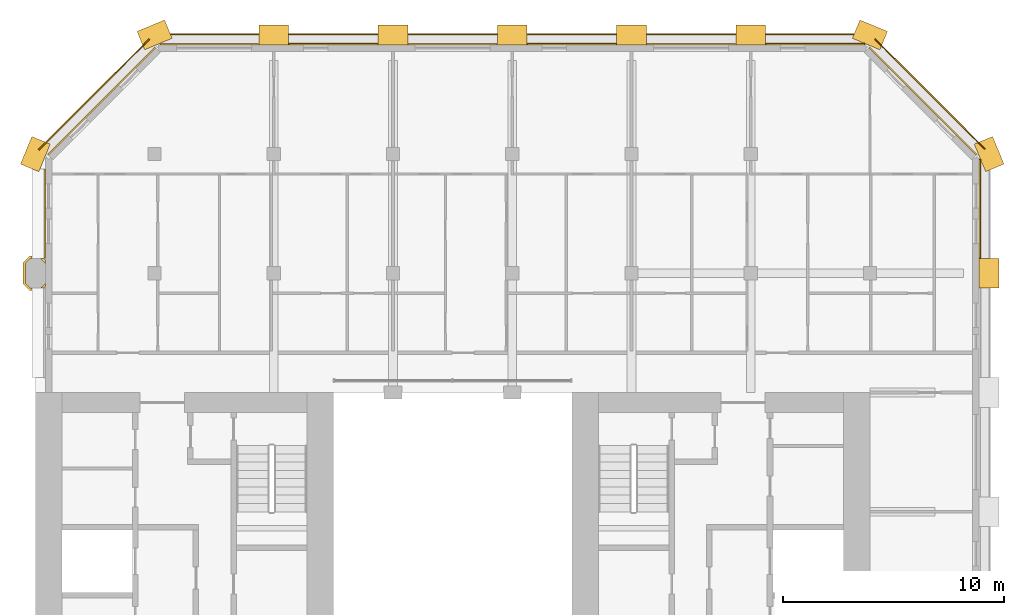
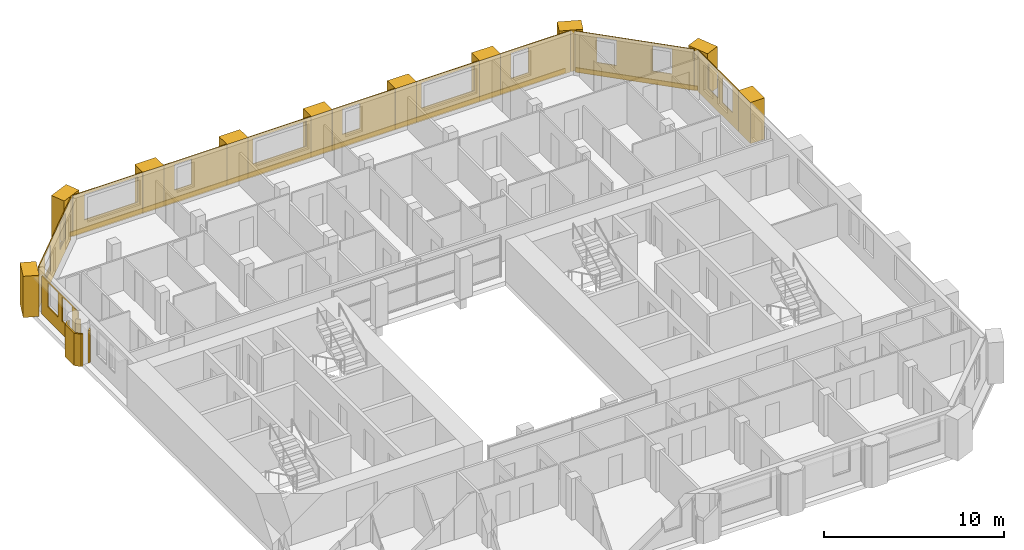
# One storey, part 13 of 13: 26 coverings.
"""IFC4 building model written with IfcOpenShell, lengths in metres."""

from ifc_helpers import new_model, si_unit, direction, frame, frame_2d, origin, place, context, subcontext, project, spatial, polyline, rectangle, outline, extrude, material, layer, layer_set, type_object, element, save


model = new_model("IFC4")

# Units and contexts
model_context = context("Model", 3, precision=1e-05, world=origin(), true_north=direction((0.0, 1.0)))
body_context = subcontext(model_context, "Body", "Model", "MODEL_VIEW")
ifc_project = project(units=[si_unit("LENGTHUNIT", "METRE"), si_unit("AREAUNIT", "SQUARE_METRE"), si_unit("VOLUMEUNIT", "CUBIC_METRE"), si_unit("PLANEANGLEUNIT", "RADIAN"), si_unit("MASSUNIT", "GRAM", prefix="KILO")], contexts=[model_context])

# Site, building, storey
site_placement = place(None, origin())
site = spatial("IfcSite", under=ifc_project, at=site_placement, CompositionType="ELEMENT")
building_placement = place(site_placement, origin())
building = spatial("IfcBuilding", under=site, at=building_placement, Name="Tabaq Tower and Sports Hall", CompositionType="ELEMENT")
storey_placement = place(building_placement, frame((0.0, 0.0, 304.89990234375)))
storey = spatial("IfcBuildingStorey", under=building, at=storey_placement, Name="L76", CompositionType="ELEMENT", Elevation=304.89990234375)

# Coverings
ifc_material_1 = material(Name="Precast concrete C60/75", Category="concrete")
ifc_layer_1 = layer(ifc_material_1, 0.10009765625)
ifc_layer_set_1 = layer_set([ifc_layer_1], Name="Column cladding 100")
covering_type_1 = type_object("IfcCoveringType", Name="Column cladding 100", PredefinedType="CLADDING", material=ifc_layer_set_1)
covering_1_placement = place(storey_placement, origin())
element("IfcCovering", 1, at=covering_1_placement, inside=storey, type_object=covering_type_1, Name="Column cladding L76 PC-2H-R2", PredefinedType="CLADDING", context=body_context, shape_type="SweptSolid", body=[
    extrude(outline(polyline([(5.1337890625, 37.025634765625), (4.8505859375, 37.308837890625), (4.8505859375, 38.291259765625), (5.1337890625, 38.574462890625), (5.24951171875, 38.574462890625), (5.24951171875, 38.4755859375), (5.1748046875, 38.4755859375), (4.949462890625, 38.250244140625), (4.949462890625, 37.349853515625), (5.1748046875, 37.12451171875), (5.24951171875, 37.12451171875), (5.24951171875, 37.025634765625), (5.1337890625, 37.025634765625)])), origin(), (0.0, 0.0, 1.0), 2.2001953125),
])
covering_2_placement = place(storey_placement, origin())
element("IfcCovering", 2, at=covering_2_placement, inside=storey, type_object=covering_type_1, Name="Column cladding L76 PC-2H-R2 2", PredefinedType="CLADDING", context=body_context, shape_type="SweptSolid", body=[
    extrude(outline(polyline([(5.766357421875, 37.125244140625), (5.625732421875, 37.125244140625), (5.849609375, 37.349365234375), (5.849609375, 37.208740234375), (5.766357421875, 37.125244140625)])), origin(), (0.0, 0.0, 1.0), 2.2001953125),
])
covering_3_placement = place(storey_placement, origin())
element("IfcCovering", 3, at=covering_3_placement, inside=storey, type_object=covering_type_1, Name="Column cladding L76 PC-2H-R2 3", PredefinedType="CLADDING", context=body_context, shape_type="SweptSolid", body=[
    extrude(outline(polyline([(5.62646484375, 38.474365234375), (5.76611328125, 38.474365234375), (5.849365234375, 38.39111328125), (5.849365234375, 38.25146484375), (5.62646484375, 38.474365234375)])), origin(), (0.0, 0.0, 1.0), 2.2001953125),
])
ifc_material_2 = material(Name="Precast concrete C60/75", Category="concrete")
ifc_layer_2 = layer(ifc_material_2, 0.06005859375)
ifc_layer_set_2 = layer_set([ifc_layer_2], Name="Edge beam cladding 60")
covering_type_2 = type_object("IfcCoveringType", Name="Edge beam cladding 60", PredefinedType="CLADDING", material=ifc_layer_set_2)
covering_4_placement = place(storey_placement, frame((48.41015625, 43.432373046875, -0.2998046875), z_axis=(0.0, 0.0, 1.0), x_axis=(-0.707106781187, 0.707106781187, 0.0)))
element("IfcCovering", 4, at=covering_4_placement, inside=storey, type_object=covering_type_2, Name="Edge beam cladding L76 3", PredefinedType="CLADDING", context=body_context, shape_type="SweptSolid", body=[
    extrude(rectangle(XDim=7.03955078125, YDim=0.06005859375, at=frame_2d((3.519775390625, 0.0))), origin(), (0.0, 0.0, 1.0), 0.2998046875),
])
covering_5_placement = place(storey_placement, frame((42.9013671875, 48.6298828125, -0.2998046875), z_axis=(0.0, 0.0, 1.0), x_axis=(-1.0, 0.0, 0.0)))
element("IfcCovering", 5, at=covering_5_placement, inside=storey, type_object=covering_type_2, Name="Edge beam cladding L76 4", PredefinedType="CLADDING", context=body_context, shape_type="SweptSolid", body=[
    extrude(rectangle(XDim=31.802734375, YDim=0.06005859375, at=frame_2d((15.9013671875, 0.0))), origin(), (0.0, 0.0, 1.0), 0.2998046875),
])
covering_6_placement = place(storey_placement, frame((10.567626953125, 48.41015625, -0.2998046875), z_axis=(0.0, 0.0, 1.0), x_axis=(-0.707089559252, -0.707124002701, 0.0)))
element("IfcCovering", 6, at=covering_6_placement, inside=storey, type_object=covering_type_2, Name="Edge beam cladding L76 5", PredefinedType="CLADDING", context=body_context, shape_type="SweptSolid", body=[
    extrude(rectangle(XDim=7.088134765625, YDim=0.06005859375, at=frame_2d((3.5439453125, 0.0))), origin(), (0.0, 0.0, 1.0), 0.2998046875),
])
ifc_material_3 = material(Name="White precast concrete C60/75", Category="concrete")
covering_type_3 = type_object("IfcCoveringType", Name="Pier cladding hung 1350x900", PredefinedType="CLADDING", material=ifc_material_3)
for number, where, z_axis, x_axis, name in (
    (7, (5.658203125, 43.82373046875, 0.0), (0.0, 0.0, 1.0), (-0.382649923473, -0.923893411637, 0.0), "Hung pier cladding 1/8"),
    (8, (11.423583984375, 48.8583984375, 0.0), (0.0, 0.0, 1.0), (-0.923893411637, -0.382649923473, 0.0), "Hung pier cladding 2/9"),
    (9, (16.875, 48.60009765625, 0.0), (0.0, 0.0, 1.0), (-1.0, 0.0, 0.0), "Hung pier cladding 3/9"),
):
    element("IfcCovering", number, at=place(storey_placement, frame(where, z_axis=z_axis, x_axis=x_axis)), inside=storey, type_object=covering_type_3, Name=name, PredefinedType="CLADDING", context=body_context, shape_type="SweptSolid", body=[
        extrude(rectangle(XDim=1.35009765625, YDim=0.89990234375, at=frame_2d((0.675048828125, 0.0))), origin(), (0.0, 0.0, 1.0), 2.800048828125),
    ])
covering_7_placement = place(storey_placement, frame((22.27490234375, 48.60009765625, 0.0), z_axis=(0.0, 0.0, 1.0), x_axis=(-1.0, 0.0, 0.0)))
element("IfcCovering", 10, at=covering_7_placement, inside=storey, type_object=covering_type_3, Name="Hung pier cladding 4/9", PredefinedType="CLADDING", context=body_context, shape_type="SweptSolid", body=[
    extrude(rectangle(XDim=1.349853515625, YDim=0.89990234375, at=frame_2d((0.6748046875, 0.0))), origin(), (0.0, 0.0, 1.0), 2.800048828125),
])
covering_8_placement = place(storey_placement, frame((27.675048828125, 48.60009765625, 0.0), z_axis=(0.0, 0.0, 1.0), x_axis=(-1.0, 0.0, 0.0)))
element("IfcCovering", 11, at=covering_8_placement, inside=storey, type_object=covering_type_3, Name="Hung pier cladding 5/9", PredefinedType="CLADDING", context=body_context, shape_type="SweptSolid", body=[
    extrude(rectangle(XDim=1.35009765625, YDim=0.89990234375, at=frame_2d((0.675048828125, 0.0))), origin(), (0.0, 0.0, 1.0), 2.800048828125),
])
covering_9_placement = place(storey_placement, frame((33.074951171875, 48.60009765625, 0.0), z_axis=(0.0, 0.0, 1.0), x_axis=(-1.0, 0.0, 0.0)))
element("IfcCovering", 12, at=covering_9_placement, inside=storey, type_object=covering_type_3, Name="Hung pier cladding 6/9", PredefinedType="CLADDING", context=body_context, shape_type="SweptSolid", body=[
    extrude(rectangle(XDim=1.349853515625, YDim=0.89990234375, at=frame_2d((0.6748046875, 0.0))), origin(), (0.0, 0.0, 1.0), 2.800048828125),
])
for number, where, z_axis, x_axis, name in (
    (13, (38.47509765625, 48.60009765625, 0.0), (0.0, 0.0, 1.0), (-1.0, 0.0, 0.0), "Hung pier cladding 7/9"),
    (14, (43.82373046875, 48.341796875, 0.0), (0.0, 0.0, 1.0), (-0.923893411637, 0.382649923473, 0.0), "Hung pier cladding 8/9"),
    (15, (48.60009765625, 37.125, 0.0), (0.0, 0.0, 1.0), (0.0, 1.0, 0.0), "Hung pier cladding 9/7"),
    (16, (48.8583984375, 42.576416015625, 0.0), (0.0, 0.0, 1.0), (-0.382649923473, 0.923893411637, 0.0), "Hung pier cladding 9/8"),
):
    element("IfcCovering", number, at=place(storey_placement, frame(where, z_axis=z_axis, x_axis=x_axis)), inside=storey, type_object=covering_type_3, Name=name, PredefinedType="CLADDING", context=body_context, shape_type="SweptSolid", body=[
        extrude(rectangle(XDim=1.35009765625, YDim=0.89990234375, at=frame_2d((0.675048828125, 0.0))), origin(), (0.0, 0.0, 1.0), 2.800048828125),
    ])
ifc_material_4 = material(Name="Precast concrete C60/75", Category="concrete")
ifc_layer_3 = layer(ifc_material_4, 0.06005859375)
ifc_layer_set_3 = layer_set([ifc_layer_3], Name="White precast cladding panel 60 C60/75")
covering_type_4 = type_object("IfcCoveringType", Name="White precast cladding panel 60 C60/75", PredefinedType="CLADDING", material=ifc_layer_set_3)
covering_10_placement = place(storey_placement, frame((48.179931640625, 38.485107421875, 0.0), z_axis=(0.0, 0.0, 1.0), x_axis=(0.0, 1.0, 0.0)))
element("IfcCovering", 17, at=covering_10_placement, inside=storey, type_object=covering_type_4, Name="White precast cladding panel L76 wall02 6", PredefinedType="CLADDING", context=body_context, shape_type="SweptSolid", body=[
    extrude(outline(polyline([(0.0, 0.0), (4.4716796875, 0.0), (4.4716796875, 2.800048828125), (0.0, 2.800048828125), (0.0, 0.0)]), holes=[polyline([(0.655029296875, 2.610107421875), (1.77490234375, 2.610107421875), (1.77490234375, 0.89013671875), (0.655029296875, 0.89013671875), (0.655029296875, 2.610107421875)]), polyline([(2.2548828125, 2.610107421875), (3.375, 2.610107421875), (3.375, 0.89013671875), (2.2548828125, 0.89013671875), (2.2548828125, 2.610107421875)])]), frame((0.0, 0.030029296875, 0.0), z_axis=(0.0, -1.0, 0.0), x_axis=(1.0, 0.0, 0.0)), (0.0, 0.0, 1.0), 0.06005859375),
])
covering_11_placement = place(storey_placement, frame((48.0283203125, 43.177734375, 0.0), z_axis=(0.0, 0.0, 1.0), x_axis=(-0.707106781187, 0.707106781187, 0.0)))
element("IfcCovering", 18, at=covering_11_placement, inside=storey, type_object=covering_type_4, Name="White precast cladding panel L76 wall03", PredefinedType="CLADDING", context=body_context, shape_type="SweptSolid", body=[
    extrude(outline(polyline([(0.0, 0.0), (6.85986328125, 0.0), (6.85986328125, 2.800048828125), (0.0, 2.800048828125), (0.0, 0.0)]), holes=[polyline([(1.269775390625, 2.610107421875), (2.389892578125, 2.610107421875), (2.389892578125, 0.89013671875), (1.269775390625, 0.89013671875), (1.269775390625, 2.610107421875)]), polyline([(4.4697265625, 2.610107421875), (5.58984375, 2.610107421875), (5.58984375, 0.89013671875), (4.4697265625, 0.89013671875), (4.4697265625, 2.610107421875)])]), frame((0.0, 0.030029296875, 0.0), z_axis=(0.0, -1.0, 0.0), x_axis=(1.0, 0.0, 0.0)), (0.0, 0.0, 1.0), 0.06005859375),
])
covering_12_placement = place(storey_placement, frame((42.956787109375, 48.179931640625, 0.0), z_axis=(0.0, 0.0, 1.0), x_axis=(-1.0, 0.0, 0.0)))
element("IfcCovering", 19, at=covering_12_placement, inside=storey, type_object=covering_type_4, Name="White precast cladding panel L76 wall04", PredefinedType="CLADDING", context=body_context, shape_type="SweptSolid", body=[
    extrude(outline(polyline([(0.0, 0.0), (4.4716796875, 0.0), (4.4716796875, 2.800048828125), (0.0, 2.800048828125), (0.0, 0.0)]), holes=[polyline([(2.69677734375, 0.89013671875), (2.69677734375, 2.610107421875), (3.81689453125, 2.610107421875), (3.81689453125, 0.89013671875), (2.69677734375, 0.89013671875)])]), frame((0.0, 0.030029296875, 0.0), z_axis=(0.0, -1.0, 0.0), x_axis=(1.0, 0.0, 0.0)), (0.0, 0.0, 1.0), 0.06005859375),
])
covering_13_placement = place(storey_placement, frame((37.114990234375, 48.179931640625, 0.0), z_axis=(0.0, 0.0, 1.0), x_axis=(-1.0, 0.0, 0.0)))
element("IfcCovering", 20, at=covering_13_placement, inside=storey, type_object=covering_type_4, Name="White precast cladding panel L76 wall04 2", PredefinedType="CLADDING", context=body_context, shape_type="SweptSolid", body=[
    extrude(outline(polyline([(0.0, 0.0), (4.030029296875, 0.0), (4.030029296875, 2.800048828125), (0.0, 2.800048828125), (0.0, 0.0)]), holes=[polyline([(0.304931640625, 0.89013671875), (0.304931640625, 2.610107421875), (3.72509765625, 2.610107421875), (3.72509765625, 0.89013671875), (0.304931640625, 0.89013671875)])]), frame((0.0, 0.030029296875, 0.0), z_axis=(0.0, -1.0, 0.0), x_axis=(1.0, 0.0, 0.0)), (0.0, 0.0, 1.0), 0.06005859375),
])
covering_14_placement = place(storey_placement, frame((31.715087890625, 48.179931640625, 0.0), z_axis=(0.0, 0.0, 1.0), x_axis=(-1.0, 0.0, 0.0)))
element("IfcCovering", 21, at=covering_14_placement, inside=storey, type_object=covering_type_4, Name="White precast cladding panel L76 wall04 3", PredefinedType="CLADDING", context=body_context, shape_type="SweptSolid", body=[
    extrude(outline(polyline([(0.0, 0.0), (4.030029296875, 0.0), (4.030029296875, 2.800048828125), (0.0, 2.800048828125), (0.0, 0.0)]), holes=[polyline([(2.2548828125, 0.89013671875), (2.2548828125, 2.610107421875), (3.375, 2.610107421875), (3.375, 0.89013671875), (2.2548828125, 0.89013671875)])]), frame((0.0, 0.030029296875, 0.0), z_axis=(0.0, -1.0, 0.0), x_axis=(1.0, 0.0, 0.0)), (0.0, 0.0, 1.0), 0.06005859375),
])
covering_15_placement = place(storey_placement, frame((26.31494140625, 48.179931640625, 0.0), z_axis=(0.0, 0.0, 1.0), x_axis=(-1.0, 0.0, 0.0)))
element("IfcCovering", 22, at=covering_15_placement, inside=storey, type_object=covering_type_4, Name="White precast cladding panel L76 wall04 4", PredefinedType="CLADDING", context=body_context, shape_type="SweptSolid", body=[
    extrude(outline(polyline([(0.0, 0.0), (4.030029296875, 0.0), (4.030029296875, 2.800048828125), (0.0, 2.800048828125), (0.0, 0.0)]), holes=[polyline([(0.304931640625, 0.89013671875), (0.304931640625, 2.610107421875), (3.72509765625, 2.610107421875), (3.72509765625, 0.89013671875), (0.304931640625, 0.89013671875)])]), frame((0.0, 0.030029296875, 0.0), z_axis=(0.0, -1.0, 0.0), x_axis=(1.0, 0.0, 0.0)), (0.0, 0.0, 1.0), 0.06005859375),
])
covering_16_placement = place(storey_placement, frame((20.9150390625, 48.179931640625, 0.0), z_axis=(0.0, 0.0, 1.0), x_axis=(-1.0, 0.0, 0.0)))
element("IfcCovering", 23, at=covering_16_placement, inside=storey, type_object=covering_type_4, Name="White precast cladding panel L76 wall04 5", PredefinedType="CLADDING", context=body_context, shape_type="SweptSolid", body=[
    extrude(outline(polyline([(0.0, 0.0), (4.030029296875, 0.0), (4.030029296875, 2.800048828125), (0.0, 2.800048828125), (0.0, 0.0)]), holes=[polyline([(2.2548828125, 0.89013671875), (2.2548828125, 2.610107421875), (3.375, 2.610107421875), (3.375, 0.89013671875), (2.2548828125, 0.89013671875)])]), frame((0.0, 0.030029296875, 0.0), z_axis=(0.0, -1.0, 0.0), x_axis=(1.0, 0.0, 0.0)), (0.0, 0.0, 1.0), 0.06005859375),
])
covering_17_placement = place(storey_placement, frame((15.514892578125, 48.179931640625, 0.0), z_axis=(0.0, 0.0, 1.0), x_axis=(-1.0, 0.0, 0.0)))
element("IfcCovering", 24, at=covering_17_placement, inside=storey, type_object=covering_type_4, Name="White precast cladding panel L76 wall04 6", PredefinedType="CLADDING", context=body_context, shape_type="SweptSolid", body=[
    extrude(outline(polyline([(0.0, 0.0), (4.4716796875, 0.0), (4.4716796875, 2.800048828125), (0.0, 2.800048828125), (0.0, 0.0)]), holes=[polyline([(0.304931640625, 0.89013671875), (0.304931640625, 2.610107421875), (3.72509765625, 2.610107421875), (3.72509765625, 0.89013671875), (0.304931640625, 0.89013671875)])]), frame((0.0, 0.030029296875, 0.0), z_axis=(0.0, -1.0, 0.0), x_axis=(1.0, 0.0, 0.0)), (0.0, 0.0, 1.0), 0.06005859375),
])
covering_18_placement = place(storey_placement, frame((10.822265625, 48.0283203125, 0.0), z_axis=(0.0, 0.0, 1.0), x_axis=(-0.707106781187, -0.707106781187, 0.0)))
element("IfcCovering", 25, at=covering_18_placement, inside=storey, type_object=covering_type_4, Name="White precast cladding panel L76 wall05", PredefinedType="CLADDING", context=body_context, shape_type="SweptSolid", body=[
    extrude(outline(polyline([(0.0, 0.0), (6.85986328125, 0.0), (6.85986328125, 2.800048828125), (0.0, 2.800048828125), (0.0, 0.0)]), holes=[polyline([(1.269775390625, 2.610107421875), (2.389892578125, 2.610107421875), (2.389892578125, 0.89013671875), (1.269775390625, 0.89013671875), (1.269775390625, 2.610107421875)]), polyline([(4.4697265625, 2.610107421875), (5.58984375, 2.610107421875), (5.58984375, 0.89013671875), (4.4697265625, 0.89013671875), (4.4697265625, 2.610107421875)])]), frame((0.0, 0.030029296875, 0.0), z_axis=(0.0, -1.0, 0.0), x_axis=(1.0, 0.0, 0.0)), (0.0, 0.0, 1.0), 0.06005859375),
])
covering_19_placement = place(storey_placement, frame((5.820068359375, 42.534912109375, 0.0), z_axis=(0.0, 0.0, 1.0), x_axis=(0.0, -1.0, 0.0)))
element("IfcCovering", 26, at=covering_19_placement, inside=storey, type_object=covering_type_4, Name="White precast cladding panel L76 wall06", PredefinedType="CLADDING", context=body_context, shape_type="SweptSolid", body=[
    extrude(outline(polyline([(0.0, 0.0), (4.0498046875, 0.0), (4.0498046875, 2.590087890625), (0.0, 2.590087890625), (0.0, 0.0)]), holes=[polyline([(0.675048828125, 0.89013671875), (0.675048828125, 2.56005859375), (1.794921875, 2.56005859375), (1.794921875, 0.89013671875), (0.675048828125, 0.89013671875)]), polyline([(2.27490234375, 0.89013671875), (2.27490234375, 2.56005859375), (3.39501953125, 2.56005859375), (3.39501953125, 0.89013671875), (2.27490234375, 0.89013671875)])]), frame((0.0, 0.030029296875, 0.0), z_axis=(0.0, -1.0, 0.0), x_axis=(1.0, 0.0, 0.0)), (0.0, 0.0, 1.0), 0.06005859375),
])

save(model, "model.ifc")
